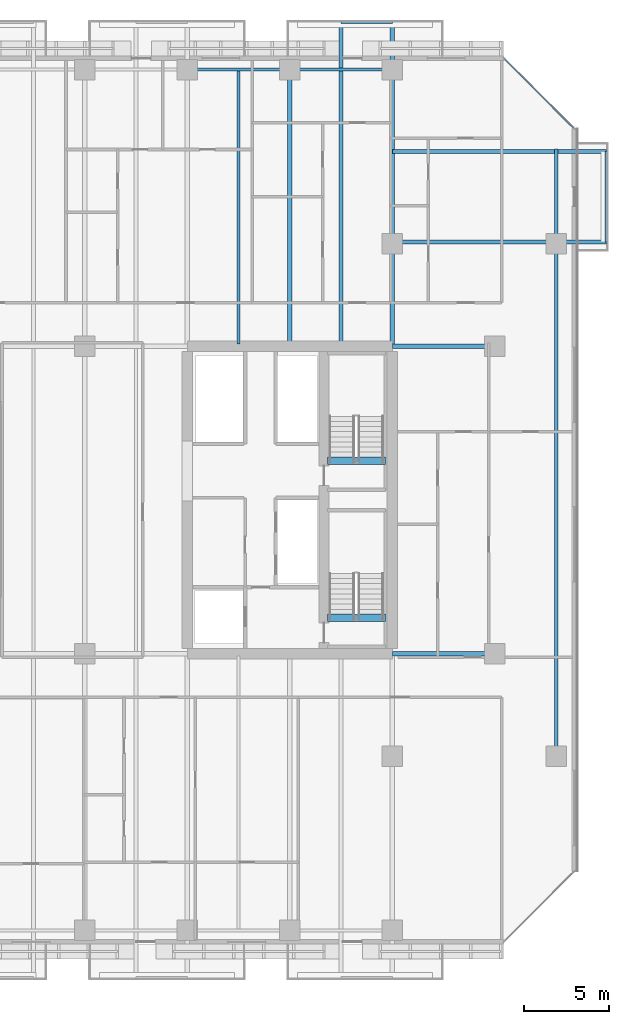
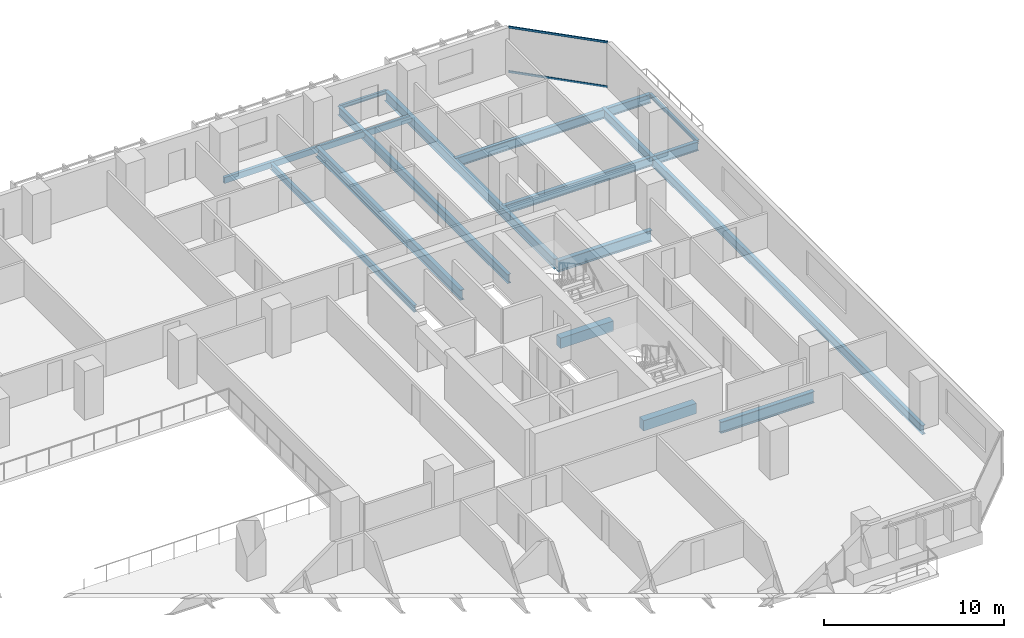
# One storey, part 15 of 33: 16 beams, 2 members, 1 element without a shape of its own.
"""IFC4 building model written with IfcOpenShell, lengths in metres."""

from ifc_helpers import new_model, si_unit, direction, frame, origin, origin_2d, place, context, subcontext, project, spatial, rectangle, hollow_rectangle, i_section, extrude, material, layer, layer_set, material_profile, profile_set, type_object, element, aggregate, save


model = new_model("IFC4")

# Units and contexts
model_context = context("Model", 3, precision=1e-05, world=origin(), true_north=direction((0.0, 1.0)))
body_context = subcontext(model_context, "Body", "Model", "MODEL_VIEW")
ifc_project = project(units=[si_unit("LENGTHUNIT", "METRE"), si_unit("AREAUNIT", "SQUARE_METRE"), si_unit("VOLUMEUNIT", "CUBIC_METRE"), si_unit("PLANEANGLEUNIT", "RADIAN"), si_unit("MASSUNIT", "GRAM", prefix="KILO")], contexts=[model_context])

# Site, building, storey
site_placement = place(None, origin())
site = spatial("IfcSite", under=ifc_project, at=site_placement, CompositionType="ELEMENT")
building_placement = place(site_placement, origin())
building = spatial("IfcBuilding", under=site, at=building_placement, Name="Tanjung Sevakor Pilgrim Tower", CompositionType="ELEMENT")
storey_placement = place(building_placement, frame((0.0, 0.0, 52.139892578125)))
storey = spatial("IfcBuildingStorey", under=building, at=storey_placement, Name="L14", CompositionType="ELEMENT", Elevation=52.139892578125)

# Beams
ifc_material_1 = material(Name="Steel S355J2", Category="steel")
ifc_material_profile_1 = material_profile(ifc_material_1, i_section(OverallWidth=0.26806640625, OverallDepth=0.769775390625, WebThickness=0.015625, FlangeThickness=0.025390625, FilletRadius=0.0166015625, at=origin_2d()))
ifc_profile_set_1 = profile_set([ifc_material_profile_1], Name="Steel S355J2")
beam_type_1 = type_object("IfcBeamType", Name="BM-B-G1-UB_762x267x197", PredefinedType="BEAM", material=ifc_profile_set_1)
for number, where, z_axis, x_axis, name in (
    (1, (90.0, 24.60009765625, -0.604736328125), (1.0, 0.0, 0.0), (0.0, 1.0, 0.0), "L14 Primary Floor Girder MAIN Y246-09"),
    (2, (90.0, 42.60009765625, -0.604736328125), (1.0, 0.0, 0.0), (0.0, 1.0, 0.0), "L14 Primary Floor Girder MAIN Y426-09"),
):
    element("IfcBeam", number, at=place(storey_placement, frame(where, z_axis=z_axis, x_axis=x_axis)), inside=storey, type_object=beam_type_1, Name=name, PredefinedType="BEAM", context=body_context, shape_type="SweptSolid", body=[
        extrude(i_section(OverallWidth=0.26806640625, OverallDepth=0.769775390625, WebThickness=0.015625, FlangeThickness=0.025390625, FilletRadius=0.0166015625, at=origin_2d()), origin(), (0.0, 0.0, 1.0), 6.0),
    ])
ifc_material_2 = material(Name="Steel S355J2", Category="steel")
ifc_material_profile_2 = material_profile(ifc_material_2, i_section(OverallWidth=0.25439453125, OverallDepth=0.6875, WebThickness=0.01318359375, FlangeThickness=0.02099609375, FilletRadius=0.01513671875, at=origin_2d()))
ifc_profile_set_2 = profile_set([ifc_material_profile_2], Name="Steel S355J2")
beam_type_2 = type_object("IfcBeamType", Name="BM-B-G2-UB_686x254x152", PredefinedType="BEAM", material=ifc_profile_set_2)
beam_1_placement = place(storey_placement, frame((84.0, 42.73388671875, -0.5634765625), z_axis=(0.0, 1.0, 0.0), x_axis=(-1.0, 0.0, 0.0)))
element("IfcBeam", 3, at=beam_1_placement, inside=storey, type_object=beam_type_2, Name="L14 MAIN Girder 029", PredefinedType="BEAM", context=body_context, shape_type="SweptSolid", body=[
    extrude(i_section(OverallWidth=0.25439453125, OverallDepth=0.6875, WebThickness=0.01318359375, FlangeThickness=0.02099609375, FilletRadius=0.01513671875, at=origin_2d()), origin(), (0.0, 0.0, 1.0), 16.066162109375),
])
beam_2_placement = place(storey_placement, frame((90.0, 42.73388671875, -0.5634765625), z_axis=(0.0, 1.0, 0.0), x_axis=(-1.0, 0.0, 0.0)))
element("IfcBeam", 4, at=beam_2_placement, inside=storey, type_object=beam_type_2, Name="L14 Balcony Cantilever Beam MAIN-N4-2", PredefinedType="BEAM", context=body_context, shape_type="SweptSolid", body=[
    extrude(i_section(OverallWidth=0.25439453125, OverallDepth=0.6875, WebThickness=0.01318359375, FlangeThickness=0.02099609375, FilletRadius=0.01513671875, at=origin_2d()), origin(), (0.0, 0.0, 1.0), 18.84619140625),
])
ifc_material_3 = material(Name="Steel S355J2", Category="steel")
ifc_material_profile_3 = material_profile(ifc_material_3, i_section(OverallWidth=0.22900390625, OverallDepth=0.6123046875, WebThickness=0.011962890625, FlangeThickness=0.01953125, FilletRadius=0.0126953125, at=origin_2d()))
ifc_profile_set_3 = profile_set([ifc_material_profile_3], Name="Steel S355J2")
beam_type_3 = type_object("IfcBeamType", Name="BM-B-G4-UB_610x229x125", PredefinedType="BEAM", material=ifc_profile_set_3)
beam_3_placement = place(storey_placement, frame((99.60009765625, 18.60009765625, -0.52587890625), z_axis=(0.0, 1.0, 0.0), x_axis=(-1.0, 0.0, 0.0)))
element("IfcBeam", 5, at=beam_3_placement, inside=storey, type_object=beam_type_3, Name="L14 Short-End Edge Girder E", PredefinedType="BEAM", context=body_context, shape_type="SweptSolid", body=[
    extrude(i_section(OverallWidth=0.22900390625, OverallDepth=0.6123046875, WebThickness=0.011962890625, FlangeThickness=0.01953125, FilletRadius=0.0126953125, at=origin_2d()), origin(), (0.0, 0.0, 1.0), 30.0),
])
beam_4_placement = place(storey_placement, frame((99.60009765625, 48.60009765625, -0.52587890625), z_axis=(0.0, 1.0, 0.0), x_axis=(-1.0, 0.0, 0.0)))
element("IfcBeam", 6, at=beam_4_placement, inside=storey, type_object=beam_type_3, Name="L14 Short-End Edge Extension N-E", PredefinedType="BEAM", context=body_context, shape_type="SweptSolid", body=[
    extrude(i_section(OverallWidth=0.22900390625, OverallDepth=0.6123046875, WebThickness=0.011962890625, FlangeThickness=0.01953125, FilletRadius=0.0126953125, at=origin_2d()), origin(), (0.0, 0.0, 1.0), 5.5498046875),
])
for number, where, z_axis, x_axis, name in (
    (7, (90.0, 48.699951171875, -0.52587890625), (1.0, 0.0, 0.0), (0.0, 1.0, 0.0), "L14 Balcony Overhanging Beam MAIN-E1-1"),
    (8, (90.0, 54.0, -0.52587890625), (1.0, 0.0, 0.0), (0.0, 1.0, 0.0), "L14 Balcony Overhanging Beam MAIN-E1-2"),
):
    element("IfcBeam", number, at=place(storey_placement, frame(where, z_axis=z_axis, x_axis=x_axis)), inside=storey, type_object=beam_type_3, Name=name, PredefinedType="BEAM", context=body_context, shape_type="SweptSolid", body=[
        extrude(i_section(OverallWidth=0.22900390625, OverallDepth=0.6123046875, WebThickness=0.011962890625, FlangeThickness=0.01953125, FilletRadius=0.0126953125, at=origin_2d()), origin(), (0.0, 0.0, 1.0), 12.530029296875),
    ])
beam_5_placement = place(storey_placement, frame((87.0, 42.73388671875, -0.52587890625), z_axis=(0.0, 1.0, 0.0), x_axis=(-1.0, 0.0, 0.0)))
element("IfcBeam", 9, at=beam_5_placement, inside=storey, type_object=beam_type_3, Name="L14 Balcony Cantilever Beam MAIN-N4-1", PredefinedType="BEAM", context=body_context, shape_type="SweptSolid", body=[
    extrude(i_section(OverallWidth=0.22900390625, OverallDepth=0.6123046875, WebThickness=0.011962890625, FlangeThickness=0.01953125, FilletRadius=0.0126953125, at=origin_2d()), origin(), (0.0, 0.0, 1.0), 18.84619140625),
])
ifc_material_4 = material(Name="Steel S355J2", Category="steel")
ifc_material_profile_4 = material_profile(ifc_material_4, i_section(OverallWidth=0.19140625, OverallDepth=0.4599609375, WebThickness=0.010009765625, FlangeThickness=0.01611328125, FilletRadius=0.01025390625, at=origin_2d()))
ifc_profile_set_4 = profile_set([ifc_material_profile_4], Name="Steel S355J2")
beam_type_4 = type_object("IfcBeamType", Name="BM-B-J2-UB_457x191x82", PredefinedType="JOIST", material=ifc_profile_set_4)
beam_6_placement = place(storey_placement, frame((81.0, 42.73388671875, -0.449951171875), z_axis=(0.0, 1.0, 0.0), x_axis=(-1.0, 0.0, 0.0)))
element("IfcBeam", 10, at=beam_6_placement, inside=storey, type_object=beam_type_4, Name="L14 MAIN Joist 027", PredefinedType="JOIST", context=body_context, shape_type="SweptSolid", body=[
    extrude(i_section(OverallWidth=0.19140625, OverallDepth=0.4599609375, WebThickness=0.010009765625, FlangeThickness=0.01611328125, FilletRadius=0.01025390625, at=origin_2d()), origin(), (0.0, 0.0, 1.0), 15.966064453125),
])
ifc_material_5 = material(Name="Steel S355J2", Category="steel")
ifc_material_profile_5 = material_profile(ifc_material_5, i_section(OverallWidth=0.146484375, OverallDepth=0.256103515625, WebThickness=0.00634765625, FlangeThickness=0.010986328125, FilletRadius=0.007568359375, at=origin_2d()))
ifc_profile_set_5 = profile_set([ifc_material_profile_5], Name="Steel S355J2")
beam_type_5 = type_object("IfcBeamType", Name="BM-B-J6-UB_254x146x37", PredefinedType="JOIST", material=ifc_profile_set_5)
beam_7_placement = place(storey_placement, frame((87.0, 61.580078125, -0.327880859375), z_axis=(1.0, 0.0, 0.0), x_axis=(0.0, 1.0, 0.0)))
element("IfcBeam", 11, at=beam_7_placement, inside=storey, type_object=beam_type_5, Name="L14 Balcony Rim Tie MAIN-N4", PredefinedType="JOIST", context=body_context, shape_type="SweptSolid", body=[
    extrude(i_section(OverallWidth=0.146484375, OverallDepth=0.256103515625, WebThickness=0.00634765625, FlangeThickness=0.010986328125, FilletRadius=0.007568359375, at=origin_2d()), origin(), (0.0, 0.0, 1.0), 3.0),
])
beam_8_placement = place(storey_placement, frame((102.530029296875, 48.699951171875, -0.327880859375), z_axis=(0.0, 1.0, 0.0), x_axis=(-1.0, 0.0, 0.0)))
element("IfcBeam", 12, at=beam_8_placement, inside=storey, type_object=beam_type_5, Name="L14 Balcony Rim Tie MAIN-E1", PredefinedType="JOIST", context=body_context, shape_type="SweptSolid", body=[
    extrude(i_section(OverallWidth=0.146484375, OverallDepth=0.256103515625, WebThickness=0.00634765625, FlangeThickness=0.010986328125, FilletRadius=0.007568359375, at=origin_2d()), origin(), (0.0, 0.0, 1.0), 5.300048828125),
])
ifc_material_6 = material(Name="Concrete C60/75", Category="concrete")
ifc_material_profile_6 = material_profile(ifc_material_6, rectangle(XDim=0.449951171875, YDim=0.699951171875, at=origin_2d()))
ifc_profile_set_6 = profile_set([ifc_material_profile_6], Name="Concrete C60/75")
beam_type_6 = type_object("IfcBeamType", Name="BM-B-LN3-RC-BM_450x700", PredefinedType="LINTEL", material=ifc_profile_set_6)
for number, where, z_axis, x_axis, name in (
    (13, (86.199951171875, 26.699951171875, -0.349853515625), (1.0, 0.0, 0.0), (0.0, 1.0, 0.0), "L14 TS-E1 Stair Threshold Beam"),
    (14, (86.199951171875, 35.89990234375, -0.349853515625), (1.0, 0.0, 0.0), (0.0, 1.0, 0.0), "L14 TS-E2 Stair Threshold Beam"),
):
    element("IfcBeam", number, at=place(storey_placement, frame(where, z_axis=z_axis, x_axis=x_axis)), inside=storey, type_object=beam_type_6, Name=name, PredefinedType="LINTEL", context=body_context, shape_type="SweptSolid", body=[
        extrude(rectangle(XDim=0.449951171875, YDim=0.699951171875, at=origin_2d()), origin(), (0.0, 0.0, 1.0), 3.400146484375),
    ])
ifc_material_7 = material(Name="Steel S355J2", Category="steel")
ifc_material_profile_7 = material_profile(ifc_material_7, hollow_rectangle(XDim=0.199951171875, YDim=0.39990234375, WallThickness=0.01611328125, at=origin_2d()))
ifc_profile_set_7 = profile_set([ifc_material_profile_7], Name="Steel S355J2")
beam_type_7 = type_object("IfcBeamType", Name="BM-B-SP2-RHS_400x200x16", PredefinedType="SPANDREL", material=ifc_profile_set_7)
for number, where, z_axis, x_axis, name in (
    (15, (78.0, 58.800048828125, -0.419921875), (1.0, 0.0, 0.0), (0.0, 1.0, 0.0), "L14 Spandrel MAIN N-16"),
    (16, (84.0, 58.800048828125, -0.419921875), (1.0, 0.0, 0.0), (0.0, 1.0, 0.0), "L14 Spandrel MAIN N-18"),
):
    element("IfcBeam", number, at=place(storey_placement, frame(where, z_axis=z_axis, x_axis=x_axis)), inside=storey, type_object=beam_type_7, Name=name, PredefinedType="SPANDREL", context=body_context, shape_type="SweptSolid", body=[
        extrude(hollow_rectangle(XDim=0.199951171875, YDim=0.39990234375, WallThickness=0.01611328125, at=origin_2d()), origin(), (0.0, 0.0, 1.0), 6.0),
    ])

# Curtain wall, members
ifc_material_8 = material(Name="Aluminium 6063-T6 and Low-E Glass", Category="aluminium")
ifc_layer = layer(ifc_material_8, 0.179931640625)
ifc_layer_set = layer_set([ifc_layer], Name="CW-SYS-CHAM")
curtain_wall_type = type_object("IfcCurtainWallType", Name="CW-SYS-CHAM", PredefinedType="NOTDEFINED", material=ifc_layer_set)
curtain_wall_placement = place(storey_placement, origin())
curtain_wall = element("IfcCurtainWall", 17, at=curtain_wall_placement, inside=storey, type_object=curtain_wall_type, Name="L14 Curtain Wall CW-CHM-L14-MAIN-7", PredefinedType="NOTDEFINED")
ifc_material_9 = material(Name="Aluminium 6063-T6", Category="aluminium")
ifc_material_profile_8 = material_profile(ifc_material_9, hollow_rectangle(XDim=0.06494140625, YDim=0.139892578125, WallThickness=0.00390625, at=origin_2d()))
ifc_profile_set_8 = profile_set([ifc_material_profile_8], Name="Aluminium 6063-T6")
member_type = type_object("IfcMemberType", Name="TYPE-CWT-1", PredefinedType="USERDEFINED", material=ifc_profile_set_8)
member_1_placement = place(storey_placement, frame((100.614013671875, 55.387939453125, 0.03271484375), z_axis=(-0.707106781187, 0.707106781187, 0.0), x_axis=(-0.707106781187, -0.707106781187, 0.0)))
member_1 = element("IfcMember", 18, at=member_1_placement, type_object=member_type, Name="CW-CHM transom 1.1", ObjectType="TRANSOM", PredefinedType="USERDEFINED", context=body_context, shape_type="SweptSolid", body=[
    extrude(hollow_rectangle(XDim=0.06494140625, YDim=0.139892578125, WallThickness=0.00390625, at=origin_2d()), origin(), (0.0, 0.0, 1.0), 5.69384765625),
])
member_2_placement = place(storey_placement, frame((100.614013671875, 55.387939453125, 3.047607421875), z_axis=(-0.707106781187, 0.707106781187, 0.0), x_axis=(-0.707106781187, -0.707106781187, 0.0)))
member_2 = element("IfcMember", 19, at=member_2_placement, type_object=member_type, Name="CW-CHM transom 1.2", ObjectType="TRANSOM", PredefinedType="USERDEFINED", context=body_context, shape_type="SweptSolid", body=[
    extrude(hollow_rectangle(XDim=0.06494140625, YDim=0.139892578125, WallThickness=0.00390625, at=origin_2d()), origin(), (0.0, 0.0, 1.0), 5.69384765625),
])
aggregate(curtain_wall, [member_1, member_2])

save(model, "model.ifc")
